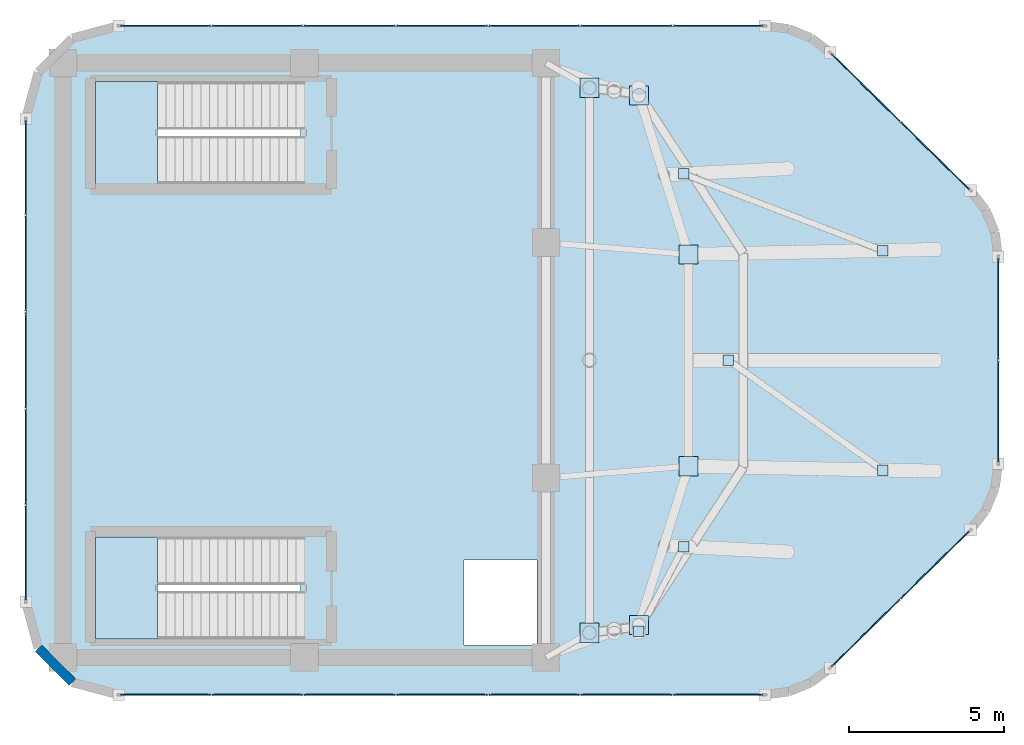
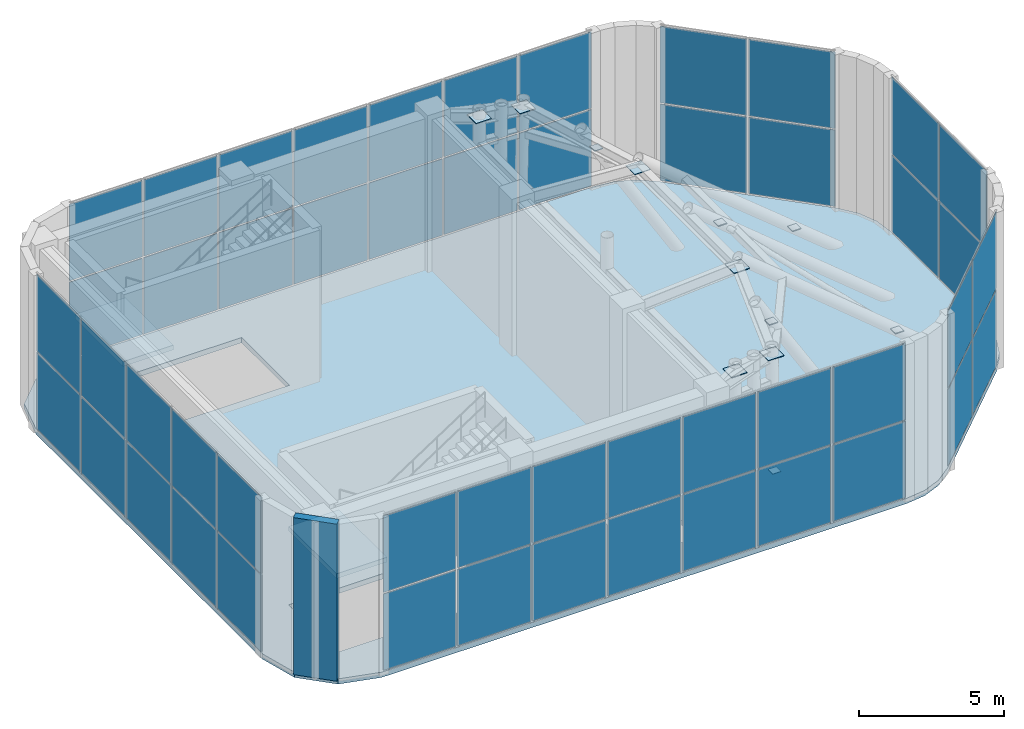
# One storey, part 17 of 19: 62 plates, 3 slabs, 1 wall, 8 elements without a shape of their own.
"""IFC4 building model written with IfcOpenShell, lengths in metres."""

from ifc_helpers import new_model, si_unit, direction, frame, frame_2d, origin, origin_2d, place, context, subcontext, project, spatial, polyline, rectangle, outline, extrude, material, layer, layer_set, type_object, element, aggregate, save


model = new_model("IFC4")

# Units and contexts
model_context = context("Model", 3, precision=1e-05, world=origin(), true_north=direction((0.0, 1.0)))
body_context = subcontext(model_context, "Body", "Model", "MODEL_VIEW")
ifc_project = project(units=[si_unit("LENGTHUNIT", "METRE"), si_unit("AREAUNIT", "SQUARE_METRE"), si_unit("VOLUMEUNIT", "CUBIC_METRE"), si_unit("PLANEANGLEUNIT", "RADIAN"), si_unit("MASSUNIT", "GRAM", prefix="KILO")], contexts=[model_context])

# Site, building, storey
site_placement = place(None, origin())
site = spatial("IfcSite", under=ifc_project, at=site_placement, CompositionType="ELEMENT")
building_placement = place(site_placement, origin())
building = spatial("IfcBuilding", under=site, at=building_placement, Name="An Khanh Terracotta Commons", CompositionType="ELEMENT")
storey_placement = place(building_placement, frame((0.0, 0.0, 328.800048828125)))
storey = spatial("IfcBuildingStorey", under=building, at=storey_placement, Name="L82 Crown Faceted Taper", CompositionType="ELEMENT", Elevation=328.800048828125)

# Plates
ifc_material_1 = material(Name="Steel S460ML", Category="steel")
ifc_layer_1 = layer(ifc_material_1, 0.030029296875, Name="Steel S460ML")
ifc_layer_set_1 = layer_set([ifc_layer_1], Name="Steel S460ML")
plate_type_1 = type_object("IfcPlateType", Name="CROWN-CAP-PL", PredefinedType="USERDEFINED", material=ifc_layer_set_1)
for number, where, z_axis, x_axis, name in (
    (1, (40.199951171875, 15.2548828125, 1.326171875), (0.0, 0.0, 1.0), (1.0, 0.0, 0.0), "L82 Crown Faceted Taper CROWN FRAME Brace End-Cap Plate 2A"),
    (2, (41.64404296875, 17.98193359375, 5.44287109375), (0.0, 0.0, 1.0), (1.0, 0.0, 0.0), "L82 Crown Faceted Taper CROWN FRAME Brace End-Cap Plate 2B"),
    (3, (48.0791015625, 20.455078125, 1.326171875), (0.0, 0.0, 1.0), (1.0, 0.0, 0.0), "L82 Crown Faceted Taper CROWN FRAME Brace End-Cap Plate 3A"),
    (4, (43.087890625, 24.0, 5.44287109375), (0.0, 0.0, 1.0), (1.0, 0.0, 0.0), "L82 Crown Faceted Taper CROWN FRAME Brace End-Cap Plate 3B"),
    (5, (48.0791015625, 27.544921875, 1.326171875), (0.0, 0.0, 1.0), (1.0, 0.0, 0.0), "L82 Crown Faceted Taper CROWN FRAME Brace End-Cap Plate 4A"),
    (6, (41.64404296875, 30.01806640625, 5.44287109375), (0.0, 0.0, 1.0), (1.0, 0.0, 0.0), "L82 Crown Faceted Taper CROWN FRAME Brace End-Cap Plate 4B"),
):
    element("IfcPlate", number, at=place(storey_placement, frame(where, z_axis=z_axis, x_axis=x_axis)), inside=storey, type_object=plate_type_1, Name=name, ObjectType="FLANGE_PLATE", PredefinedType="USERDEFINED", context=body_context, shape_type="SweptSolid", body=[
        extrude(rectangle(XDim=0.340087890625, YDim=0.340087890625, at=origin_2d()), origin(), (0.0, 0.0, 1.0), 0.030029296875),
    ])

# Curtain wall, plates
ifc_material_2 = material(Name="Anodised Aluminium 6063-T6", Category="aluminium")
ifc_layer_2 = layer(ifc_material_2, 0.18994140625, Name="Anodised Aluminium 6063-T6")
ifc_layer_set_2 = layer_set([ifc_layer_2], Name="Anodised Aluminium 6063-T6")
curtain_wall_type = type_object("IfcCurtainWallType", Name="CW-SYS-06", PredefinedType="USERDEFINED", material=ifc_layer_set_2)
curtain_wall_1_placement = place(storey_placement, origin())
curtain_wall_1 = element("IfcCurtainWall", 7, at=curtain_wall_1_placement, inside=storey, type_object=curtain_wall_type, Name="L82 Crown Faceted Taper CW-06 Unitised Curtain Wall CW-L82-04", ObjectType="UNITISED CURTAIN WALL", PredefinedType="USERDEFINED")
ifc_material_3 = material(Name="Faceted Crown Low-Iron Low-E Glazing", Category="glass")
ifc_layer_3 = layer(ifc_material_3, 0.033935546875, Name="Faceted Crown Low-Iron Low-E Glazing")
ifc_layer_set_3 = layer_set([ifc_layer_3], Name="Faceted Crown Low-Iron Low-E Glazing")
plate_type_2 = type_object("IfcPlateType", Name="CWP-CROWN-34", PredefinedType="CURTAIN_PANEL", material=ifc_layer_set_3)
plate_1_placement = place(storey_placement, frame((24.906982421875, 13.199951171875, 0.06005859375), z_axis=(0.0, 0.0, 1.0), x_axis=(1.0, 0.0, 0.0)))
plate_1 = element("IfcPlate", 8, at=plate_1_placement, type_object=plate_type_2, Name="CW-06 panel 1.1", PredefinedType="CURTAIN_PANEL", context=body_context, shape_type="SweptSolid", body=[
    extrude(rectangle(XDim=2.884033203125, YDim=0.033935546875, at=origin_2d()), origin(), (0.0, 0.0, 1.0), 3.2099609375),
])
plate_2_placement = place(storey_placement, frame((24.906982421875, 13.199951171875, 3.330078125), z_axis=(0.0, 0.0, 1.0), x_axis=(1.0, 0.0, 0.0)))
plate_2 = element("IfcPlate", 9, at=plate_2_placement, type_object=plate_type_2, Name="CW-06 panel 1.2", PredefinedType="CURTAIN_PANEL", context=body_context, shape_type="SweptSolid", body=[
    extrude(rectangle(XDim=2.884033203125, YDim=0.033935546875, at=origin_2d()), origin(), (0.0, 0.0, 1.0), 3.2099609375),
])
plate_3_placement = place(storey_placement, frame((27.872314453125, 13.199951171875, 0.06005859375), z_axis=(0.0, 0.0, 1.0), x_axis=(1.0, 0.0, 0.0)))
plate_3 = element("IfcPlate", 10, at=plate_3_placement, type_object=plate_type_2, Name="CW-06 panel 2.1", PredefinedType="CURTAIN_PANEL", context=body_context, shape_type="SweptSolid", body=[
    extrude(rectangle(XDim=2.91650390625, YDim=0.033935546875, at=origin_2d()), origin(), (0.0, 0.0, 1.0), 3.2099609375),
])
plate_4_placement = place(storey_placement, frame((27.872314453125, 13.199951171875, 3.330078125), z_axis=(0.0, 0.0, 1.0), x_axis=(1.0, 0.0, 0.0)))
plate_4 = element("IfcPlate", 11, at=plate_4_placement, type_object=plate_type_2, Name="CW-06 panel 2.2", PredefinedType="CURTAIN_PANEL", context=body_context, shape_type="SweptSolid", body=[
    extrude(rectangle(XDim=2.91650390625, YDim=0.033935546875, at=origin_2d()), origin(), (0.0, 0.0, 1.0), 3.2099609375),
])
plate_5_placement = place(storey_placement, frame((30.85400390625, 13.199951171875, 0.06005859375), z_axis=(0.0, 0.0, 1.0), x_axis=(1.0, 0.0, 0.0)))
plate_5 = element("IfcPlate", 12, at=plate_5_placement, type_object=plate_type_2, Name="CW-06 panel 3.1", PredefinedType="CURTAIN_PANEL", context=body_context, shape_type="SweptSolid", body=[
    extrude(rectangle(XDim=2.91650390625, YDim=0.033935546875, at=origin_2d()), origin(), (0.0, 0.0, 1.0), 3.2099609375),
])
plate_6_placement = place(storey_placement, frame((30.85400390625, 13.199951171875, 3.330078125), z_axis=(0.0, 0.0, 1.0), x_axis=(1.0, 0.0, 0.0)))
plate_6 = element("IfcPlate", 13, at=plate_6_placement, type_object=plate_type_2, Name="CW-06 panel 3.2", PredefinedType="CURTAIN_PANEL", context=body_context, shape_type="SweptSolid", body=[
    extrude(rectangle(XDim=2.91650390625, YDim=0.033935546875, at=origin_2d()), origin(), (0.0, 0.0, 1.0), 3.2099609375),
])
plate_7_placement = place(storey_placement, frame((33.83544921875, 13.199951171875, 0.06005859375), z_axis=(0.0, 0.0, 1.0), x_axis=(1.0, 0.0, 0.0)))
plate_7 = element("IfcPlate", 14, at=plate_7_placement, type_object=plate_type_2, Name="CW-06 panel 4.1", PredefinedType="CURTAIN_PANEL", context=body_context, shape_type="SweptSolid", body=[
    extrude(rectangle(XDim=2.91650390625, YDim=0.033935546875, at=origin_2d()), origin(), (0.0, 0.0, 1.0), 3.2099609375),
])
plate_8_placement = place(storey_placement, frame((33.83544921875, 13.199951171875, 3.330078125), z_axis=(0.0, 0.0, 1.0), x_axis=(1.0, 0.0, 0.0)))
plate_8 = element("IfcPlate", 15, at=plate_8_placement, type_object=plate_type_2, Name="CW-06 panel 4.2", PredefinedType="CURTAIN_PANEL", context=body_context, shape_type="SweptSolid", body=[
    extrude(rectangle(XDim=2.91650390625, YDim=0.033935546875, at=origin_2d()), origin(), (0.0, 0.0, 1.0), 3.2099609375),
])
plate_9_placement = place(storey_placement, frame((36.817138671875, 13.199951171875, 0.06005859375), z_axis=(0.0, 0.0, 1.0), x_axis=(1.0, 0.0, 0.0)))
plate_9 = element("IfcPlate", 16, at=plate_9_placement, type_object=plate_type_2, Name="CW-06 panel 5.1", PredefinedType="CURTAIN_PANEL", context=body_context, shape_type="SweptSolid", body=[
    extrude(rectangle(XDim=2.91650390625, YDim=0.033935546875, at=origin_2d()), origin(), (0.0, 0.0, 1.0), 3.2099609375),
])
plate_10_placement = place(storey_placement, frame((36.817138671875, 13.199951171875, 3.330078125), z_axis=(0.0, 0.0, 1.0), x_axis=(1.0, 0.0, 0.0)))
plate_10 = element("IfcPlate", 17, at=plate_10_placement, type_object=plate_type_2, Name="CW-06 panel 5.2", PredefinedType="CURTAIN_PANEL", context=body_context, shape_type="SweptSolid", body=[
    extrude(rectangle(XDim=2.91650390625, YDim=0.033935546875, at=origin_2d()), origin(), (0.0, 0.0, 1.0), 3.2099609375),
])
plate_11_placement = place(storey_placement, frame((39.798583984375, 13.199951171875, 0.06005859375), z_axis=(0.0, 0.0, 1.0), x_axis=(1.0, 0.0, 0.0)))
plate_11 = element("IfcPlate", 18, at=plate_11_placement, type_object=plate_type_2, Name="CW-06 panel 6.1", PredefinedType="CURTAIN_PANEL", context=body_context, shape_type="SweptSolid", body=[
    extrude(rectangle(XDim=2.91650390625, YDim=0.033935546875, at=origin_2d()), origin(), (0.0, 0.0, 1.0), 3.2099609375),
])
plate_12_placement = place(storey_placement, frame((39.798583984375, 13.199951171875, 3.330078125), z_axis=(0.0, 0.0, 1.0), x_axis=(1.0, 0.0, 0.0)))
plate_12 = element("IfcPlate", 19, at=plate_12_placement, type_object=plate_type_2, Name="CW-06 panel 6.2", PredefinedType="CURTAIN_PANEL", context=body_context, shape_type="SweptSolid", body=[
    extrude(rectangle(XDim=2.91650390625, YDim=0.033935546875, at=origin_2d()), origin(), (0.0, 0.0, 1.0), 3.2099609375),
])
plate_13_placement = place(storey_placement, frame((42.763916015625, 13.199951171875, 0.06005859375), z_axis=(0.0, 0.0, 1.0), x_axis=(1.0, 0.0, 0.0)))
plate_13 = element("IfcPlate", 20, at=plate_13_placement, type_object=plate_type_2, Name="CW-06 panel 7.1", PredefinedType="CURTAIN_PANEL", context=body_context, shape_type="SweptSolid", body=[
    extrude(rectangle(XDim=2.884033203125, YDim=0.033935546875, at=origin_2d()), origin(), (0.0, 0.0, 1.0), 3.2099609375),
])
plate_14_placement = place(storey_placement, frame((42.763916015625, 13.199951171875, 3.330078125), z_axis=(0.0, 0.0, 1.0), x_axis=(1.0, 0.0, 0.0)))
plate_14 = element("IfcPlate", 21, at=plate_14_placement, type_object=plate_type_2, Name="CW-06 panel 7.2", PredefinedType="CURTAIN_PANEL", context=body_context, shape_type="SweptSolid", body=[
    extrude(rectangle(XDim=2.884033203125, YDim=0.033935546875, at=origin_2d()), origin(), (0.0, 0.0, 1.0), 3.2099609375),
])
aggregate(curtain_wall_1, [plate_1, plate_2, plate_3, plate_4, plate_5, plate_6, plate_7, plate_8, plate_9, plate_10, plate_11, plate_12, plate_13, plate_14])

curtain_wall_2_placement = place(storey_placement, origin())
curtain_wall_2 = element("IfcCurtainWall", 22, at=curtain_wall_2_placement, inside=storey, type_object=curtain_wall_type, Name="L82 Crown Faceted Taper CW-06 Unitised Curtain Wall CW-L82-08", ObjectType="UNITISED CURTAIN WALL", PredefinedType="USERDEFINED")
plate_15_placement = place(storey_placement, frame((47.51953125, 15.187744140625, 0.06005859375), z_axis=(0.0, 0.0, 1.0), x_axis=(0.712672130501, 0.701497280399, 0.0)))
plate_15 = element("IfcPlate", 23, at=plate_15_placement, type_object=plate_type_2, Name="CW-06 panel 1.1", PredefinedType="CURTAIN_PANEL", context=body_context, shape_type="SweptSolid", body=[
    extrude(rectangle(XDim=3.079345703125, YDim=0.033935546875, at=origin_2d()), origin(), (0.0, 0.0, 1.0), 3.2099609375),
])
plate_16_placement = place(storey_placement, frame((47.51953125, 15.187744140625, 3.330078125), z_axis=(0.0, 0.0, 1.0), x_axis=(0.712672130501, 0.701497280399, 0.0)))
plate_16 = element("IfcPlate", 24, at=plate_16_placement, type_object=plate_type_2, Name="CW-06 panel 1.2", PredefinedType="CURTAIN_PANEL", context=body_context, shape_type="SweptSolid", body=[
    extrude(rectangle(XDim=3.079345703125, YDim=0.033935546875, at=origin_2d()), origin(), (0.0, 0.0, 1.0), 3.2099609375),
])
plate_17_placement = place(storey_placement, frame((49.760498046875, 17.393310546875, 0.06005859375), z_axis=(0.0, 0.0, 1.0), x_axis=(0.712672130501, 0.701497280399, 0.0)))
plate_17 = element("IfcPlate", 25, at=plate_17_placement, type_object=plate_type_2, Name="CW-06 panel 2.1", PredefinedType="CURTAIN_PANEL", context=body_context, shape_type="SweptSolid", body=[
    extrude(rectangle(XDim=3.079345703125, YDim=0.033935546875, at=origin_2d()), origin(), (0.0, 0.0, 1.0), 3.2099609375),
])
plate_18_placement = place(storey_placement, frame((49.760498046875, 17.393310546875, 3.330078125), z_axis=(0.0, 0.0, 1.0), x_axis=(0.712672130501, 0.701497280399, 0.0)))
plate_18 = element("IfcPlate", 26, at=plate_18_placement, type_object=plate_type_2, Name="CW-06 panel 2.2", PredefinedType="CURTAIN_PANEL", context=body_context, shape_type="SweptSolid", body=[
    extrude(rectangle(XDim=3.079345703125, YDim=0.033935546875, at=origin_2d()), origin(), (0.0, 0.0, 1.0), 3.2099609375),
])
aggregate(curtain_wall_2, [plate_15, plate_16, plate_17, plate_18])

curtain_wall_3_placement = place(storey_placement, origin())
curtain_wall_3 = element("IfcCurtainWall", 27, at=curtain_wall_3_placement, inside=storey, type_object=curtain_wall_type, Name="L82 Crown Faceted Taper CW-06 Unitised Curtain Wall CW-L82-12", ObjectType="UNITISED CURTAIN WALL", PredefinedType="USERDEFINED")
plate_19_placement = place(storey_placement, frame((51.800048828125, 22.3447265625, 0.06005859375), z_axis=(0.0, 0.0, 1.0), x_axis=(0.0, 1.0, 0.0)))
plate_19 = element("IfcPlate", 28, at=plate_19_placement, type_object=plate_type_2, Name="CW-06 panel 1.1", PredefinedType="CURTAIN_PANEL", context=body_context, shape_type="SweptSolid", body=[
    extrude(rectangle(XDim=3.24560546875, YDim=0.033935546875, at=origin_2d()), origin(), (0.0, 0.0, 1.0), 3.2099609375),
])
plate_20_placement = place(storey_placement, frame((51.800048828125, 22.3447265625, 3.330078125), z_axis=(0.0, 0.0, 1.0), x_axis=(0.0, 1.0, 0.0)))
plate_20 = element("IfcPlate", 29, at=plate_20_placement, type_object=plate_type_2, Name="CW-06 panel 1.2", PredefinedType="CURTAIN_PANEL", context=body_context, shape_type="SweptSolid", body=[
    extrude(rectangle(XDim=3.24560546875, YDim=0.033935546875, at=origin_2d()), origin(), (0.0, 0.0, 1.0), 3.2099609375),
])
plate_21_placement = place(storey_placement, frame((51.800048828125, 25.6552734375, 0.06005859375), z_axis=(0.0, 0.0, 1.0), x_axis=(0.0, 1.0, 0.0)))
plate_21 = element("IfcPlate", 30, at=plate_21_placement, type_object=plate_type_2, Name="CW-06 panel 2.1", PredefinedType="CURTAIN_PANEL", context=body_context, shape_type="SweptSolid", body=[
    extrude(rectangle(XDim=3.24560546875, YDim=0.033935546875, at=origin_2d()), origin(), (0.0, 0.0, 1.0), 3.2099609375),
])
plate_22_placement = place(storey_placement, frame((51.800048828125, 25.6552734375, 3.330078125), z_axis=(0.0, 0.0, 1.0), x_axis=(0.0, 1.0, 0.0)))
plate_22 = element("IfcPlate", 31, at=plate_22_placement, type_object=plate_type_2, Name="CW-06 panel 2.2", PredefinedType="CURTAIN_PANEL", context=body_context, shape_type="SweptSolid", body=[
    extrude(rectangle(XDim=3.24560546875, YDim=0.033935546875, at=origin_2d()), origin(), (0.0, 0.0, 1.0), 3.2099609375),
])
aggregate(curtain_wall_3, [plate_19, plate_20, plate_21, plate_22])

curtain_wall_4_placement = place(storey_placement, origin())
curtain_wall_4 = element("IfcCurtainWall", 32, at=curtain_wall_4_placement, inside=storey, type_object=curtain_wall_type, Name="L82 Crown Faceted Taper CW-06 Unitised Curtain Wall CW-L82-16", ObjectType="UNITISED CURTAIN WALL", PredefinedType="USERDEFINED")
plate_23_placement = place(storey_placement, frame((49.760498046875, 30.606689453125, 0.06005859375), z_axis=(0.0, 0.0, 1.0), x_axis=(-0.712672130501, 0.701497280399, 0.0)))
plate_23 = element("IfcPlate", 33, at=plate_23_placement, type_object=plate_type_2, Name="CW-06 panel 1.1", PredefinedType="CURTAIN_PANEL", context=body_context, shape_type="SweptSolid", body=[
    extrude(rectangle(XDim=3.079345703125, YDim=0.033935546875, at=origin_2d()), origin(), (0.0, 0.0, 1.0), 3.2099609375),
])
plate_24_placement = place(storey_placement, frame((49.760498046875, 30.606689453125, 3.330078125), z_axis=(0.0, 0.0, 1.0), x_axis=(-0.712672130501, 0.701497280399, 0.0)))
plate_24 = element("IfcPlate", 34, at=plate_24_placement, type_object=plate_type_2, Name="CW-06 panel 1.2", PredefinedType="CURTAIN_PANEL", context=body_context, shape_type="SweptSolid", body=[
    extrude(rectangle(XDim=3.079345703125, YDim=0.033935546875, at=origin_2d()), origin(), (0.0, 0.0, 1.0), 3.2099609375),
])
plate_25_placement = place(storey_placement, frame((47.51953125, 32.812255859375, 0.06005859375), z_axis=(0.0, 0.0, 1.0), x_axis=(-0.712672130501, 0.701497280399, 0.0)))
plate_25 = element("IfcPlate", 35, at=plate_25_placement, type_object=plate_type_2, Name="CW-06 panel 2.1", PredefinedType="CURTAIN_PANEL", context=body_context, shape_type="SweptSolid", body=[
    extrude(rectangle(XDim=3.079345703125, YDim=0.033935546875, at=origin_2d()), origin(), (0.0, 0.0, 1.0), 3.2099609375),
])
plate_26_placement = place(storey_placement, frame((47.51953125, 32.812255859375, 3.330078125), z_axis=(0.0, 0.0, 1.0), x_axis=(-0.712672130501, 0.701497280399, 0.0)))
plate_26 = element("IfcPlate", 36, at=plate_26_placement, type_object=plate_type_2, Name="CW-06 panel 2.2", PredefinedType="CURTAIN_PANEL", context=body_context, shape_type="SweptSolid", body=[
    extrude(rectangle(XDim=3.079345703125, YDim=0.033935546875, at=origin_2d()), origin(), (0.0, 0.0, 1.0), 3.2099609375),
])
aggregate(curtain_wall_4, [plate_23, plate_24, plate_25, plate_26])

curtain_wall_5_placement = place(storey_placement, origin())
curtain_wall_5 = element("IfcCurtainWall", 37, at=curtain_wall_5_placement, inside=storey, type_object=curtain_wall_type, Name="L82 Crown Faceted Taper CW-06 Unitised Curtain Wall CW-L82-20", ObjectType="UNITISED CURTAIN WALL", PredefinedType="USERDEFINED")
plate_27_placement = place(storey_placement, frame((42.763916015625, 34.800048828125, 0.06005859375), z_axis=(0.0, 0.0, 1.0), x_axis=(-1.0, 0.0, 0.0)))
plate_27 = element("IfcPlate", 38, at=plate_27_placement, type_object=plate_type_2, Name="CW-06 panel 1.1", PredefinedType="CURTAIN_PANEL", context=body_context, shape_type="SweptSolid", body=[
    extrude(rectangle(XDim=2.884033203125, YDim=0.033935546875, at=origin_2d()), origin(), (0.0, 0.0, 1.0), 3.2099609375),
])
plate_28_placement = place(storey_placement, frame((42.763916015625, 34.800048828125, 3.330078125), z_axis=(0.0, 0.0, 1.0), x_axis=(-1.0, 0.0, 0.0)))
plate_28 = element("IfcPlate", 39, at=plate_28_placement, type_object=plate_type_2, Name="CW-06 panel 1.2", PredefinedType="CURTAIN_PANEL", context=body_context, shape_type="SweptSolid", body=[
    extrude(rectangle(XDim=2.884033203125, YDim=0.033935546875, at=origin_2d()), origin(), (0.0, 0.0, 1.0), 3.2099609375),
])
plate_29_placement = place(storey_placement, frame((39.798583984375, 34.800048828125, 0.06005859375), z_axis=(0.0, 0.0, 1.0), x_axis=(-1.0, 0.0, 0.0)))
plate_29 = element("IfcPlate", 40, at=plate_29_placement, type_object=plate_type_2, Name="CW-06 panel 2.1", PredefinedType="CURTAIN_PANEL", context=body_context, shape_type="SweptSolid", body=[
    extrude(rectangle(XDim=2.91650390625, YDim=0.033935546875, at=origin_2d()), origin(), (0.0, 0.0, 1.0), 3.2099609375),
])
plate_30_placement = place(storey_placement, frame((39.798583984375, 34.800048828125, 3.330078125), z_axis=(0.0, 0.0, 1.0), x_axis=(-1.0, 0.0, 0.0)))
plate_30 = element("IfcPlate", 41, at=plate_30_placement, type_object=plate_type_2, Name="CW-06 panel 2.2", PredefinedType="CURTAIN_PANEL", context=body_context, shape_type="SweptSolid", body=[
    extrude(rectangle(XDim=2.91650390625, YDim=0.033935546875, at=origin_2d()), origin(), (0.0, 0.0, 1.0), 3.2099609375),
])
plate_31_placement = place(storey_placement, frame((36.817138671875, 34.800048828125, 0.06005859375), z_axis=(0.0, 0.0, 1.0), x_axis=(-1.0, 0.0, 0.0)))
plate_31 = element("IfcPlate", 42, at=plate_31_placement, type_object=plate_type_2, Name="CW-06 panel 3.1", PredefinedType="CURTAIN_PANEL", context=body_context, shape_type="SweptSolid", body=[
    extrude(rectangle(XDim=2.91650390625, YDim=0.033935546875, at=origin_2d()), origin(), (0.0, 0.0, 1.0), 3.2099609375),
])
plate_32_placement = place(storey_placement, frame((36.817138671875, 34.800048828125, 3.330078125), z_axis=(0.0, 0.0, 1.0), x_axis=(-1.0, 0.0, 0.0)))
plate_32 = element("IfcPlate", 43, at=plate_32_placement, type_object=plate_type_2, Name="CW-06 panel 3.2", PredefinedType="CURTAIN_PANEL", context=body_context, shape_type="SweptSolid", body=[
    extrude(rectangle(XDim=2.91650390625, YDim=0.033935546875, at=origin_2d()), origin(), (0.0, 0.0, 1.0), 3.2099609375),
])
plate_33_placement = place(storey_placement, frame((33.83544921875, 34.800048828125, 0.06005859375), z_axis=(0.0, 0.0, 1.0), x_axis=(-1.0, 0.0, 0.0)))
plate_33 = element("IfcPlate", 44, at=plate_33_placement, type_object=plate_type_2, Name="CW-06 panel 4.1", PredefinedType="CURTAIN_PANEL", context=body_context, shape_type="SweptSolid", body=[
    extrude(rectangle(XDim=2.91650390625, YDim=0.033935546875, at=origin_2d()), origin(), (0.0, 0.0, 1.0), 3.2099609375),
])
plate_34_placement = place(storey_placement, frame((33.83544921875, 34.800048828125, 3.330078125), z_axis=(0.0, 0.0, 1.0), x_axis=(-1.0, 0.0, 0.0)))
plate_34 = element("IfcPlate", 45, at=plate_34_placement, type_object=plate_type_2, Name="CW-06 panel 4.2", PredefinedType="CURTAIN_PANEL", context=body_context, shape_type="SweptSolid", body=[
    extrude(rectangle(XDim=2.91650390625, YDim=0.033935546875, at=origin_2d()), origin(), (0.0, 0.0, 1.0), 3.2099609375),
])
plate_35_placement = place(storey_placement, frame((30.85400390625, 34.800048828125, 0.06005859375), z_axis=(0.0, 0.0, 1.0), x_axis=(-1.0, 0.0, 0.0)))
plate_35 = element("IfcPlate", 46, at=plate_35_placement, type_object=plate_type_2, Name="CW-06 panel 5.1", PredefinedType="CURTAIN_PANEL", context=body_context, shape_type="SweptSolid", body=[
    extrude(rectangle(XDim=2.91650390625, YDim=0.033935546875, at=origin_2d()), origin(), (0.0, 0.0, 1.0), 3.2099609375),
])
plate_36_placement = place(storey_placement, frame((30.85400390625, 34.800048828125, 3.330078125), z_axis=(0.0, 0.0, 1.0), x_axis=(-1.0, 0.0, 0.0)))
plate_36 = element("IfcPlate", 47, at=plate_36_placement, type_object=plate_type_2, Name="CW-06 panel 5.2", PredefinedType="CURTAIN_PANEL", context=body_context, shape_type="SweptSolid", body=[
    extrude(rectangle(XDim=2.91650390625, YDim=0.033935546875, at=origin_2d()), origin(), (0.0, 0.0, 1.0), 3.2099609375),
])
plate_37_placement = place(storey_placement, frame((27.872314453125, 34.800048828125, 0.06005859375), z_axis=(0.0, 0.0, 1.0), x_axis=(-1.0, 0.0, 0.0)))
plate_37 = element("IfcPlate", 48, at=plate_37_placement, type_object=plate_type_2, Name="CW-06 panel 6.1", PredefinedType="CURTAIN_PANEL", context=body_context, shape_type="SweptSolid", body=[
    extrude(rectangle(XDim=2.91650390625, YDim=0.033935546875, at=origin_2d()), origin(), (0.0, 0.0, 1.0), 3.2099609375),
])
plate_38_placement = place(storey_placement, frame((27.872314453125, 34.800048828125, 3.330078125), z_axis=(0.0, 0.0, 1.0), x_axis=(-1.0, 0.0, 0.0)))
plate_38 = element("IfcPlate", 49, at=plate_38_placement, type_object=plate_type_2, Name="CW-06 panel 6.2", PredefinedType="CURTAIN_PANEL", context=body_context, shape_type="SweptSolid", body=[
    extrude(rectangle(XDim=2.91650390625, YDim=0.033935546875, at=origin_2d()), origin(), (0.0, 0.0, 1.0), 3.2099609375),
])
plate_39_placement = place(storey_placement, frame((24.906982421875, 34.800048828125, 0.06005859375), z_axis=(0.0, 0.0, 1.0), x_axis=(-1.0, 0.0, 0.0)))
plate_39 = element("IfcPlate", 50, at=plate_39_placement, type_object=plate_type_2, Name="CW-06 panel 7.1", PredefinedType="CURTAIN_PANEL", context=body_context, shape_type="SweptSolid", body=[
    extrude(rectangle(XDim=2.884033203125, YDim=0.033935546875, at=origin_2d()), origin(), (0.0, 0.0, 1.0), 3.2099609375),
])
plate_40_placement = place(storey_placement, frame((24.906982421875, 34.800048828125, 3.330078125), z_axis=(0.0, 0.0, 1.0), x_axis=(-1.0, 0.0, 0.0)))
plate_40 = element("IfcPlate", 51, at=plate_40_placement, type_object=plate_type_2, Name="CW-06 panel 7.2", PredefinedType="CURTAIN_PANEL", context=body_context, shape_type="SweptSolid", body=[
    extrude(rectangle(XDim=2.884033203125, YDim=0.033935546875, at=origin_2d()), origin(), (0.0, 0.0, 1.0), 3.2099609375),
])
aggregate(curtain_wall_5, [plate_27, plate_28, plate_29, plate_30, plate_31, plate_32, plate_33, plate_34, plate_35, plate_36, plate_37, plate_38, plate_39, plate_40])

curtain_wall_6_placement = place(storey_placement, origin())
curtain_wall_6 = element("IfcCurtainWall", 52, at=curtain_wall_6_placement, inside=storey, type_object=curtain_wall_type, Name="L82 Crown Faceted Taper CW-06 Unitised Curtain Wall CW-L82-24", ObjectType="UNITISED CURTAIN WALL", PredefinedType="USERDEFINED")
plate_41_placement = place(storey_placement, frame((20.39990234375, 30.2236328125, 0.06005859375), z_axis=(0.0, 0.0, 1.0), x_axis=(0.0, -1.0, 0.0)))
plate_41 = element("IfcPlate", 53, at=plate_41_placement, type_object=plate_type_2, Name="CW-06 panel 1.1", PredefinedType="CURTAIN_PANEL", context=body_context, shape_type="SweptSolid", body=[
    extrude(rectangle(XDim=3.0224609375, YDim=0.033935546875, at=origin_2d()), origin(), (0.0, 0.0, 1.0), 3.2099609375),
])
plate_42_placement = place(storey_placement, frame((20.39990234375, 30.2236328125, 3.330078125), z_axis=(0.0, 0.0, 1.0), x_axis=(0.0, -1.0, 0.0)))
plate_42 = element("IfcPlate", 54, at=plate_42_placement, type_object=plate_type_2, Name="CW-06 panel 1.2", PredefinedType="CURTAIN_PANEL", context=body_context, shape_type="SweptSolid", body=[
    extrude(rectangle(XDim=3.0224609375, YDim=0.033935546875, at=origin_2d()), origin(), (0.0, 0.0, 1.0), 3.2099609375),
])
plate_43_placement = place(storey_placement, frame((20.39990234375, 27.1201171875, 0.06005859375), z_axis=(0.0, 0.0, 1.0), x_axis=(0.0, -1.0, 0.0)))
plate_43 = element("IfcPlate", 55, at=plate_43_placement, type_object=plate_type_2, Name="CW-06 panel 2.1", PredefinedType="CURTAIN_PANEL", context=body_context, shape_type="SweptSolid", body=[
    extrude(rectangle(XDim=3.054931640625, YDim=0.033935546875, at=origin_2d()), origin(), (0.0, 0.0, 1.0), 3.2099609375),
])
plate_44_placement = place(storey_placement, frame((20.39990234375, 27.1201171875, 3.330078125), z_axis=(0.0, 0.0, 1.0), x_axis=(0.0, -1.0, 0.0)))
plate_44 = element("IfcPlate", 56, at=plate_44_placement, type_object=plate_type_2, Name="CW-06 panel 2.2", PredefinedType="CURTAIN_PANEL", context=body_context, shape_type="SweptSolid", body=[
    extrude(rectangle(XDim=3.054931640625, YDim=0.033935546875, at=origin_2d()), origin(), (0.0, 0.0, 1.0), 3.2099609375),
])
plate_45_placement = place(storey_placement, frame((20.39990234375, 24.0, 0.06005859375), z_axis=(0.0, 0.0, 1.0), x_axis=(0.0, -1.0, 0.0)))
plate_45 = element("IfcPlate", 57, at=plate_45_placement, type_object=plate_type_2, Name="CW-06 panel 3.1", PredefinedType="CURTAIN_PANEL", context=body_context, shape_type="SweptSolid", body=[
    extrude(rectangle(XDim=3.054931640625, YDim=0.033935546875, at=origin_2d()), origin(), (0.0, 0.0, 1.0), 3.2099609375),
])
plate_46_placement = place(storey_placement, frame((20.39990234375, 24.0, 3.330078125), z_axis=(0.0, 0.0, 1.0), x_axis=(0.0, -1.0, 0.0)))
plate_46 = element("IfcPlate", 58, at=plate_46_placement, type_object=plate_type_2, Name="CW-06 panel 3.2", PredefinedType="CURTAIN_PANEL", context=body_context, shape_type="SweptSolid", body=[
    extrude(rectangle(XDim=3.054931640625, YDim=0.033935546875, at=origin_2d()), origin(), (0.0, 0.0, 1.0), 3.2099609375),
])
plate_47_placement = place(storey_placement, frame((20.39990234375, 20.8798828125, 0.06005859375), z_axis=(0.0, 0.0, 1.0), x_axis=(0.0, -1.0, 0.0)))
plate_47 = element("IfcPlate", 59, at=plate_47_placement, type_object=plate_type_2, Name="CW-06 panel 4.1", PredefinedType="CURTAIN_PANEL", context=body_context, shape_type="SweptSolid", body=[
    extrude(rectangle(XDim=3.054931640625, YDim=0.033935546875, at=origin_2d()), origin(), (0.0, 0.0, 1.0), 3.2099609375),
])
plate_48_placement = place(storey_placement, frame((20.39990234375, 20.8798828125, 3.330078125), z_axis=(0.0, 0.0, 1.0), x_axis=(0.0, -1.0, 0.0)))
plate_48 = element("IfcPlate", 60, at=plate_48_placement, type_object=plate_type_2, Name="CW-06 panel 4.2", PredefinedType="CURTAIN_PANEL", context=body_context, shape_type="SweptSolid", body=[
    extrude(rectangle(XDim=3.054931640625, YDim=0.033935546875, at=origin_2d()), origin(), (0.0, 0.0, 1.0), 3.2099609375),
])
plate_49_placement = place(storey_placement, frame((20.39990234375, 17.7763671875, 0.06005859375), z_axis=(0.0, 0.0, 1.0), x_axis=(0.0, -1.0, 0.0)))
plate_49 = element("IfcPlate", 61, at=plate_49_placement, type_object=plate_type_2, Name="CW-06 panel 5.1", PredefinedType="CURTAIN_PANEL", context=body_context, shape_type="SweptSolid", body=[
    extrude(rectangle(XDim=3.0224609375, YDim=0.033935546875, at=origin_2d()), origin(), (0.0, 0.0, 1.0), 3.2099609375),
])
plate_50_placement = place(storey_placement, frame((20.39990234375, 17.7763671875, 3.330078125), z_axis=(0.0, 0.0, 1.0), x_axis=(0.0, -1.0, 0.0)))
plate_50 = element("IfcPlate", 62, at=plate_50_placement, type_object=plate_type_2, Name="CW-06 panel 5.2", PredefinedType="CURTAIN_PANEL", context=body_context, shape_type="SweptSolid", body=[
    extrude(rectangle(XDim=3.0224609375, YDim=0.033935546875, at=origin_2d()), origin(), (0.0, 0.0, 1.0), 3.2099609375),
])
aggregate(curtain_wall_6, [plate_41, plate_42, plate_43, plate_44, plate_45, plate_46, plate_47, plate_48, plate_49, plate_50])

# Plates
ifc_layer_4 = layer(ifc_material_1, 0.02490234375, Name="Steel S460ML")
ifc_layer_set_4 = layer_set([ifc_layer_4], Name="Steel S460ML")
plate_type_3 = type_object("IfcPlateType", Name="PLATE-GUSSET-25", PredefinedType="USERDEFINED", material=ifc_layer_set_4)
for number, where, z_axis, x_axis, name in (
    (63, (38.60009765625, 15.199951171875, 6.117431640625), (0.0, 0.0, 1.0), (1.0, 0.0, 0.0), "L82 Crown Faceted Taper CROWN FRAME Node End-Cap Plate 1"),
    (64, (40.199951171875, 15.449951171875, 6.117431640625), (0.0, 0.0, 1.0), (1.0, 0.0, 0.0), "L82 Crown Faceted Taper CROWN FRAME Node End-Cap Plate 2"),
    (65, (41.800048828125, 20.580078125, 6.117431640625), (0.0, 0.0, 1.0), (1.0, 0.0, 0.0), "L82 Crown Faceted Taper CROWN FRAME Node End-Cap Plate 3"),
    (66, (41.800048828125, 27.419921875, 6.117431640625), (0.0, 0.0, 1.0), (1.0, 0.0, 0.0), "L82 Crown Faceted Taper CROWN FRAME Node End-Cap Plate 4"),
    (67, (40.199951171875, 32.550048828125, 6.117431640625), (0.0, 0.0, 1.0), (1.0, 0.0, 0.0), "L82 Crown Faceted Taper CROWN FRAME Node End-Cap Plate 5"),
    (68, (38.60009765625, 32.800048828125, 6.117431640625), (0.0, 0.0, 1.0), (1.0, 0.0, 0.0), "L82 Crown Faceted Taper CROWN FRAME Node End-Cap Plate 6"),
):
    element("IfcPlate", number, at=place(storey_placement, frame(where, z_axis=z_axis, x_axis=x_axis)), inside=storey, type_object=plate_type_3, Name=name, ObjectType="FLANGE_PLATE", PredefinedType="USERDEFINED", context=body_context, shape_type="SweptSolid", body=[
        extrude(rectangle(XDim=0.6201171875, YDim=0.6201171875, at=origin_2d()), origin(), (0.0, 0.0, 1.0), 0.02490234375),
    ])

# Stair, slab
ifc_material_4 = material(Name="Precast concrete C40/50", Category="concrete")
stair_type = type_object("IfcStairType", Name="STAIR-CORE-1550", PredefinedType="HALF_TURN_STAIR", material=ifc_material_4)
stair_1_placement = place(storey_placement, origin())
stair_1 = element("IfcStair", 69, at=stair_1_placement, inside=storey, type_object=stair_type, Name="L82 Crown Faceted Taper Core Smokeproof Exit Stair ST-01", PredefinedType="HALF_TURN_STAIR")
ifc_material_5 = material(Name="Concrete C40/50", Category="concrete")
ifc_layer_5 = layer(ifc_material_5, 0.18994140625, Name="Concrete C40/50")
ifc_layer_set_5 = layer_set([ifc_layer_5], Name="Concrete C40/50")
slab_type_1 = type_object("IfcSlabType", Name="SLAB-LANDING-190", PredefinedType="LANDING", material=ifc_layer_set_5)
slab_1_placement = place(storey_placement, frame((0.0, 0.0, 3.099853515625)))
slab_1 = element("IfcSlab", 70, at=slab_1_placement, type_object=slab_type_1, Name="ST-01 landing 1", PredefinedType="LANDING", context=body_context, shape_type="SweptSolid", body=[
    extrude(outline(polyline([(24.64990234375, 33.0), (22.64990234375, 33.0), (22.64990234375, 29.699951171875), (24.64990234375, 29.699951171875), (24.64990234375, 33.0)])), origin(), (0.0, 0.0, 1.0), 0.2001953125),
])
aggregate(stair_1, [slab_1])

stair_2_placement = place(storey_placement, origin())
stair_2 = element("IfcStair", 71, at=stair_2_placement, inside=storey, type_object=stair_type, Name="L82 Crown Faceted Taper Core Smokeproof Exit Stair ST-02", PredefinedType="HALF_TURN_STAIR")
slab_2_placement = place(storey_placement, frame((0.0, 0.0, 3.099853515625)))
slab_2 = element("IfcSlab", 72, at=slab_2_placement, type_object=slab_type_1, Name="ST-02 landing 1", PredefinedType="LANDING", context=body_context, shape_type="SweptSolid", body=[
    extrude(outline(polyline([(24.64990234375, 18.300048828125), (22.64990234375, 18.300048828125), (22.64990234375, 15.0), (24.64990234375, 15.0), (24.64990234375, 18.300048828125)])), origin(), (0.0, 0.0, 1.0), 0.2001953125),
])
aggregate(stair_2, [slab_2])

# Slab
ifc_layer_6 = layer(ifc_material_5, 0.219970703125, Name="Concrete C40/50")
ifc_layer_set_6 = layer_set([ifc_layer_6], Name="Concrete C40/50")
slab_type_2 = type_object("IfcSlabType", Name="SLAB-POD-220", PredefinedType="FLOOR", material=ifc_layer_set_6)
slab_3_placement = place(storey_placement, frame((0.0, 0.0, -0.219970703125)))
element("IfcSlab", 73, at=slab_3_placement, inside=storey, type_object=slab_type_2, Name="L82 Crown Faceted Taper Structural Floor Slab", PredefinedType="FLOOR", context=body_context, shape_type="SweptSolid", body=[
    extrude(outline(polyline([(20.39990234375, 16.199951171875), (20.802001953125, 14.699951171875), (21.89990234375, 13.60205078125), (23.39990234375, 13.199951171875), (44.27099609375, 13.199951171875), (45.0400390625, 13.300048828125), (45.758056640625, 13.593994140625), (46.3759765625, 14.06201171875), (50.904052734375, 18.51904296875), (51.389892578125, 19.14306640625), (51.696044921875, 19.873046875), (51.800048828125, 20.656982421875), (51.800048828125, 27.343017578125), (51.696044921875, 28.126953125), (51.389892578125, 28.85693359375), (50.904052734375, 29.48095703125), (46.3759765625, 33.93798828125), (45.758056640625, 34.406005859375), (45.0400390625, 34.699951171875), (44.27099609375, 34.800048828125), (23.39990234375, 34.800048828125), (21.89990234375, 34.39794921875), (20.802001953125, 33.300048828125), (20.39990234375, 31.800048828125), (20.39990234375, 16.199951171875)]), holes=[polyline([(22.64990234375, 29.699951171875), (29.27001953125, 29.699951171875), (29.27001953125, 33.0), (22.64990234375, 33.0), (22.64990234375, 29.699951171875)]), polyline([(22.64990234375, 15.0), (29.27001953125, 15.0), (29.27001953125, 18.300048828125), (22.64990234375, 18.300048828125), (22.64990234375, 15.0)]), polyline([(34.550048828125, 14.800048828125), (36.89990234375, 14.800048828125), (36.89990234375, 17.550048828125), (34.550048828125, 17.550048828125), (34.550048828125, 14.800048828125)])]), origin(), (0.0, 0.0, 1.0), 0.219970703125),
])

# Wall
ifc_layer_7 = layer(ifc_material_4, 0.300048828125, Name="Precast concrete C40/50")
ifc_layer_set_7 = layer_set([ifc_layer_7], Name="Precast concrete C40/50")
wall_type = type_object("IfcWallType", Name="WALL-EXT-300", PredefinedType="SOLIDWALL", material=ifc_layer_set_7)
wall_placement = place(storey_placement, frame((20.802001953125, 14.699951171875, 0.0), z_axis=(0.0, 0.0, 1.0), x_axis=(0.707106781187, -0.707106781187, 0.0)))
element("IfcWall", 74, at=wall_placement, inside=storey, type_object=wall_type, Name="L82 Crown Faceted Taper Crown Facet Corner Closure 2", PredefinedType="SOLIDWALL", context=body_context, shape_type="SweptSolid", body=[
    extrude(rectangle(XDim=1.552734375, YDim=0.300048828125, at=frame_2d((0.7763671875, 0.0))), origin(), (0.0, 0.0, 1.0), 6.599853515625),
])

save(model, "model.ifc")
